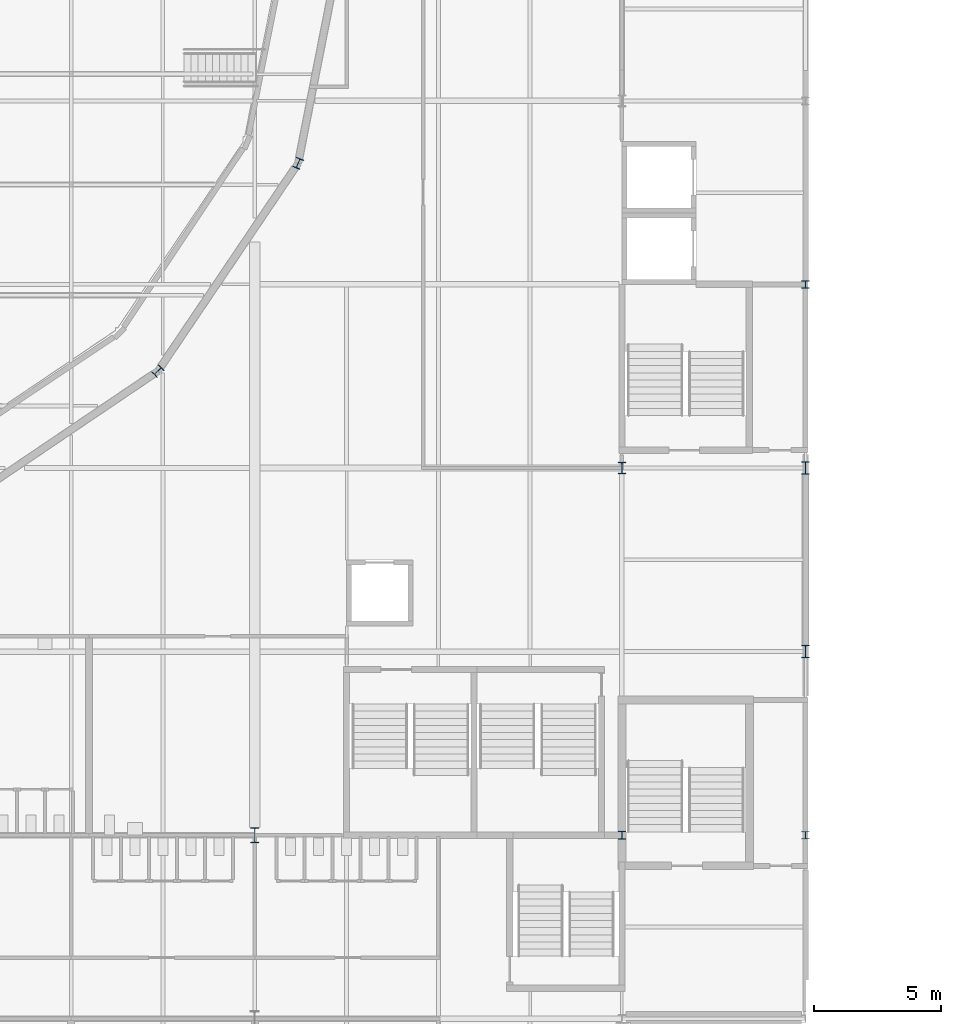
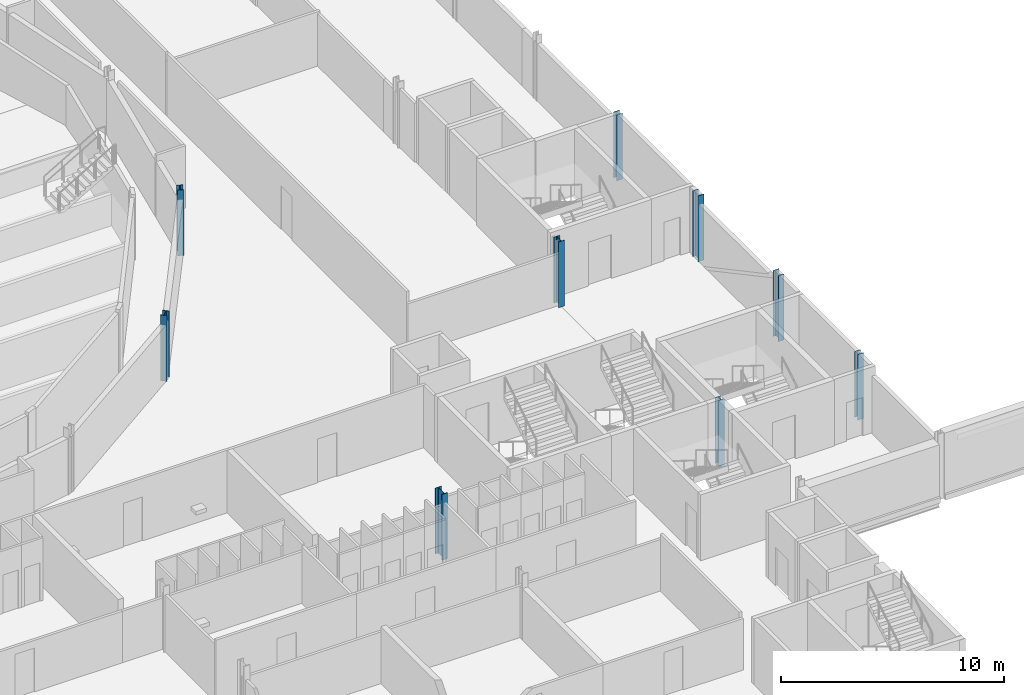
# One storey, part 7 of 90: 9 columns.
"""IFC4 building model written with IfcOpenShell, lengths in metres."""

from ifc_helpers import new_model, si_unit, direction, frame, origin, origin_2d, place, context, subcontext, project, spatial, i_section, extrude, material, material_profile, profile_set, type_object, element, save


model = new_model("IFC4")

# Units and contexts
model_context = context("Model", 3, precision=1e-05, world=origin(), true_north=direction((0.0, 1.0)))
body_context = subcontext(model_context, "Body", "Model", "MODEL_VIEW")
ifc_project = project(units=[si_unit("LENGTHUNIT", "METRE"), si_unit("AREAUNIT", "SQUARE_METRE"), si_unit("VOLUMEUNIT", "CUBIC_METRE"), si_unit("PLANEANGLEUNIT", "RADIAN"), si_unit("MASSUNIT", "GRAM", prefix="KILO")], contexts=[model_context])

# Site, building, storey
site_placement = place(None, origin())
site = spatial("IfcSite", under=ifc_project, at=site_placement, CompositionType="ELEMENT")
building_placement = place(site_placement, origin())
building = spatial("IfcBuilding", under=site, at=building_placement, Name="Kupolbacken Congress Centre", CompositionType="ELEMENT")
storey_placement = place(building_placement, frame((0.0, 0.0, 3.60009765625)))
storey = spatial("IfcBuildingStorey", under=building, at=storey_placement, Name="L01", CompositionType="ELEMENT", Elevation=3.60009765625)

# Columns
ifc_material_1 = material(Name="Steel S355", Category="steel")
ifc_material_profile_1 = material_profile(ifc_material_1, i_section(OverallWidth=0.300048828125, OverallDepth=0.449951171875, WebThickness=0.013916015625, FlangeThickness=0.02587890625, FilletRadius=0.027099609375, at=origin_2d()), Name="HEB 450")
ifc_profile_set_1 = profile_set([ifc_material_profile_1], Name="Steel S355")
column_type_1 = type_object("IfcColumnType", Name="C03 column HEB 450", PredefinedType="COLUMN", material=ifc_profile_set_1)
column_1_placement = place(storey_placement, frame((79.199951171875, 64.800048828125, 0.0), z_axis=(0.0, 0.0, 1.0), x_axis=(1.0, 0.0, 0.0)))
element("IfcColumn", 1, at=column_1_placement, inside=storey, type_object=column_type_1, Name="S/col/C-P-12K/L01", PredefinedType="COLUMN", context=body_context, shape_type="SweptSolid", body=[
    extrude(i_section(OverallWidth=0.300048828125, OverallDepth=0.449951171875, WebThickness=0.013916015625, FlangeThickness=0.02587890625, FilletRadius=0.027099609375, at=origin_2d()), origin(), (0.0, 0.0, 1.0), 3.599853515625),
])
ifc_material_2 = material(Name="Steel S355", Category="steel")
ifc_material_profile_2 = material_profile(ifc_material_2, i_section(OverallWidth=0.300048828125, OverallDepth=0.60009765625, WebThickness=0.015380859375, FlangeThickness=0.030029296875, FilletRadius=0.027099609375, at=origin_2d()), Name="HEB 600")
ifc_profile_set_2 = profile_set([ifc_material_profile_2], Name="Steel S355")
column_type_2 = type_object("IfcColumnType", Name="C05 column HEB 600", PredefinedType="COLUMN", material=ifc_profile_set_2)
column_2_placement = place(storey_placement, frame((64.800048828125, 50.39990234375, 0.0), z_axis=(0.0, 0.0, 1.0), x_axis=(1.0, 0.0, 0.0)))
element("IfcColumn", 2, at=column_2_placement, inside=storey, type_object=column_type_2, Name="S/col/C-F-10H/L01", PredefinedType="COLUMN", context=body_context, shape_type="SweptSolid", body=[
    extrude(i_section(OverallWidth=0.300048828125, OverallDepth=0.60009765625, WebThickness=0.015380859375, FlangeThickness=0.030029296875, FilletRadius=0.027099609375, at=origin_2d()), origin(), (0.0, 0.0, 1.0), 3.599853515625),
])
ifc_material_3 = material(Name="Steel S355", Category="steel")
ifc_material_profile_3 = material_profile(ifc_material_3, i_section(OverallWidth=0.300048828125, OverallDepth=0.300048828125, WebThickness=0.010986328125, FlangeThickness=0.01904296875, FilletRadius=0.027099609375, at=origin_2d()), Name="HEB 300")
ifc_profile_set_3 = profile_set([ifc_material_profile_3], Name="Steel S355")
column_type_3 = type_object("IfcColumnType", Name="C06 column HEB 300", PredefinedType="COLUMN", material=ifc_profile_set_3)
column_3_placement = place(storey_placement, frame((79.199951171875, 50.39990234375, 0.0), z_axis=(0.0, 0.0, 1.0), x_axis=(1.0, 0.0, 0.0)))
element("IfcColumn", 3, at=column_3_placement, inside=storey, type_object=column_type_3, Name="S/col/C-F-12H/L01", PredefinedType="COLUMN", context=body_context, shape_type="SweptSolid", body=[
    extrude(i_section(OverallWidth=0.300048828125, OverallDepth=0.300048828125, WebThickness=0.010986328125, FlangeThickness=0.01904296875, FilletRadius=0.027099609375, at=origin_2d()), origin(), (0.0, 0.0, 1.0), 3.599853515625),
])
ifc_material_4 = material(Name="Steel S355", Category="steel")
ifc_material_profile_4 = material_profile(ifc_material_4, i_section(OverallWidth=0.300048828125, OverallDepth=0.39990234375, WebThickness=0.013427734375, FlangeThickness=0.02392578125, FilletRadius=0.027099609375, at=origin_2d()), Name="HEB 400")
ifc_profile_set_4 = profile_set([ifc_material_profile_4], Name="Steel S355")
column_type_4 = type_object("IfcColumnType", Name="C08 column HEB 400", PredefinedType="COLUMN", material=ifc_profile_set_4)
for number, where, z_axis, x_axis, name in (
    (4, (61.0, 68.60009765625, 0.0), (0.0, 0.0, 1.0), (0.707106781187, -0.707106781187, 0.0), "S/col/C-D15/L01"),
    (5, (66.5, 76.75, 0.0), (0.0, 0.0, 1.0), (0.923896018243, -0.382643629864, 0.0), "S/col/C-D16/L01"),
):
    element("IfcColumn", number, at=place(storey_placement, frame(where, z_axis=z_axis, x_axis=x_axis)), inside=storey, type_object=column_type_4, Name=name, PredefinedType="COLUMN", context=body_context, shape_type="SweptSolid", body=[
        extrude(i_section(OverallWidth=0.300048828125, OverallDepth=0.39990234375, WebThickness=0.013427734375, FlangeThickness=0.02392578125, FilletRadius=0.027099609375, at=origin_2d()), origin(), (0.0, 0.0, 1.0), 3.599853515625),
    ])
ifc_material_5 = material(Name="Steel S355", Category="steel")
ifc_material_profile_5 = material_profile(ifc_material_5, i_section(OverallWidth=0.300048828125, OverallDepth=0.2900390625, WebThickness=0.008544921875, FlangeThickness=0.013916015625, FilletRadius=0.027099609375, at=origin_2d()), Name="HEA 300")
ifc_profile_set_5 = profile_set([ifc_material_profile_5], Name="Steel S355")
column_type_5 = type_object("IfcColumnType", Name="C09 column HEA 300", PredefinedType="COLUMN", material=ifc_profile_set_5)
for number, where, z_axis, x_axis, name in (
    (6, (86.39990234375, 50.39990234375, 0.0), (0.0, 0.0, 1.0), (1.0, 0.0, 0.0), "S/col/C-H-PW02/L01"),
    (7, (86.39990234375, 72.0, 0.0), (0.0, 0.0, 1.0), (1.0, 0.0, 0.0), "S/col/C-H-PW05/L01"),
):
    element("IfcColumn", number, at=place(storey_placement, frame(where, z_axis=z_axis, x_axis=x_axis)), inside=storey, type_object=column_type_5, Name=name, PredefinedType="COLUMN", context=body_context, shape_type="SweptSolid", body=[
        extrude(i_section(OverallWidth=0.300048828125, OverallDepth=0.2900390625, WebThickness=0.008544921875, FlangeThickness=0.013916015625, FilletRadius=0.027099609375, at=origin_2d()), origin(), (0.0, 0.0, 1.0), 3.599853515625),
    ])
ifc_material_6 = material(Name="Steel S355", Category="steel")
ifc_material_profile_6 = material_profile(ifc_material_6, i_section(OverallWidth=0.300048828125, OverallDepth=0.489990234375, WebThickness=0.011962890625, FlangeThickness=0.02294921875, FilletRadius=0.027099609375, at=origin_2d()), Name="HEA 500")
ifc_profile_set_6 = profile_set([ifc_material_profile_6], Name="Steel S355")
column_type_6 = type_object("IfcColumnType", Name="C14 column HEA 500", PredefinedType="COLUMN", material=ifc_profile_set_6)
for number, where, z_axis, x_axis, name in (
    (8, (86.39990234375, 57.60009765625, 0.0), (0.0, 0.0, 1.0), (1.0, 0.0, 0.0), "S/col/C-H-PW03/L01"),
    (9, (86.39990234375, 64.800048828125, 0.0), (0.0, 0.0, 1.0), (1.0, 0.0, 0.0), "S/col/C-H-PW04/L01"),
):
    element("IfcColumn", number, at=place(storey_placement, frame(where, z_axis=z_axis, x_axis=x_axis)), inside=storey, type_object=column_type_6, Name=name, PredefinedType="COLUMN", context=body_context, shape_type="SweptSolid", body=[
        extrude(i_section(OverallWidth=0.300048828125, OverallDepth=0.489990234375, WebThickness=0.011962890625, FlangeThickness=0.02294921875, FilletRadius=0.027099609375, at=origin_2d()), origin(), (0.0, 0.0, 1.0), 3.599853515625),
    ])

save(model, "model.ifc")
